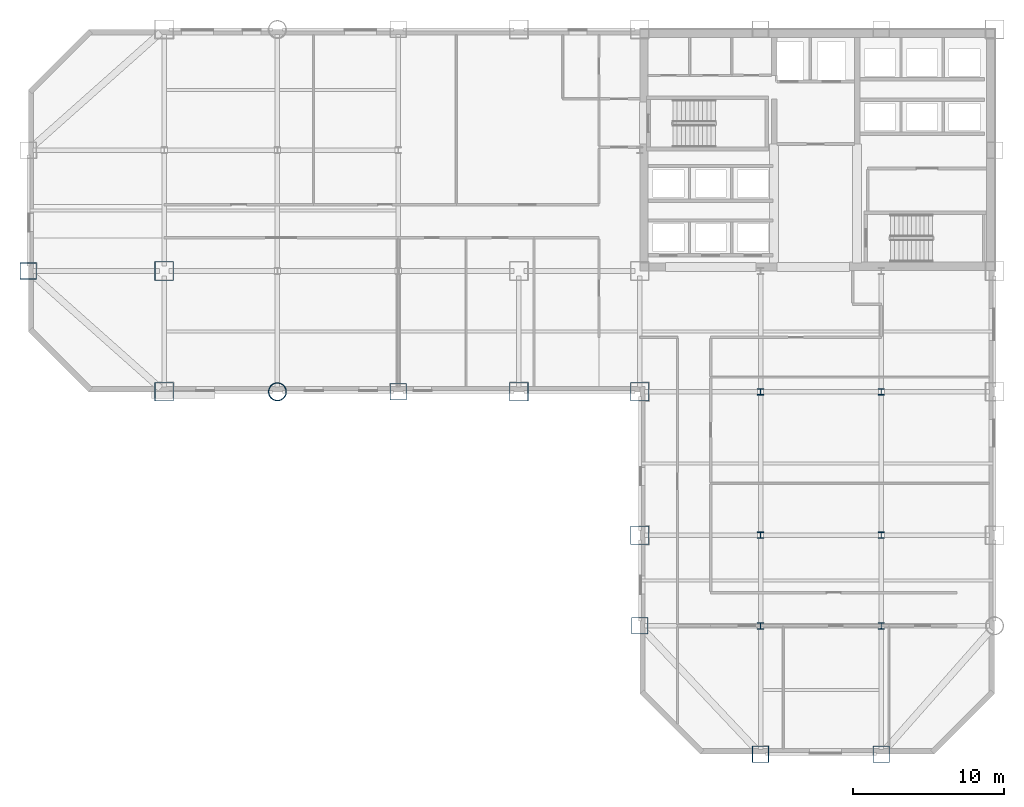
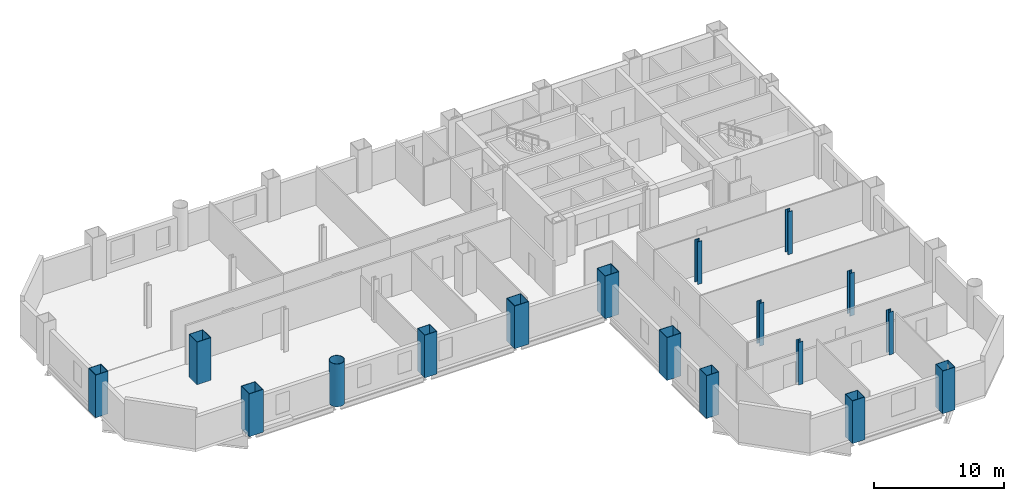
# One storey, part 1 of 9: 17 columns.
"""IFC4 building model written with IfcOpenShell, lengths in metres."""

import ifcopenshell
import ifcopenshell.guid

model = None  # the IFC model being written
_history = None  # IfcOwnerHistory: only IFC2X3 demands one
_inside = {}  # id of a spatial element -> (the spatial element, [elements in it])
_under = {}  # id of a project, library or spatial element -> (it, [spatial elements below it])
_declared = {}  # id of a project -> (the project, [libraries it declares])
_typed = {}  # id of a type object -> (the type object, [elements of that type])
_made_of = {}  # id of a material, layer set ... -> (it, [elements and type objects made of it])


def new_model(schema):
    """Start an empty IFC model of exactly this schema.

    Asked for "IFC4X3", IfcOpenShell would pick the latest addendum, in which some entities
    have other attributes; the version numbers below select the first issue.
    IFC2X3 requires an IfcOwnerHistory on every rooted entity: one is made here for all.
    """
    global model, _history
    if schema == "IFC4X3":
        model = ifcopenshell.file(schema_version=(4, 3, 0, 0))
    else:
        model = ifcopenshell.file(schema=schema)
    _inside.clear()
    _under.clear()
    _declared.clear()
    _typed.clear()
    _made_of.clear()
    _history = None
    if model.schema == "IFC2X3":
        org = make("IfcOrganization", Name="unknown")
        user = make(
            "IfcPersonAndOrganization",
            ThePerson=make("IfcPerson", FamilyName="unknown"),
            TheOrganization=org,
        )
        app = make(
            "IfcApplication",
            ApplicationDeveloper=org,
            Version="unknown",
            ApplicationFullName="unknown",
            ApplicationIdentifier="unknown",
        )
        _history = make(
            "IfcOwnerHistory",
            OwningUser=user,
            OwningApplication=app,
            ChangeAction="ADDED",
            CreationDate=0,
        )
    return model


def make(cls, **values):
    """One entity of the class cls with the attributes given. An attribute that is None is left unset."""
    return model.create_entity(
        cls, **{name: value for name, value in values.items() if value is not None}
    )


def rooted(cls, **values):
    """An entity with a GlobalId (a new one), such as an element, a storey or a relation."""
    return make(cls, GlobalId=ifcopenshell.guid.new(), OwnerHistory=_history, **values)


def si_unit(unit_type, name, prefix=None):
    """IfcSIUnit, for example si_unit("LENGTHUNIT", "METRE", prefix="MILLI")."""
    return make("IfcSIUnit", UnitType=unit_type, Prefix=prefix, Name=name)


def assignment(units):
    """IfcUnitAssignment: the units of a project."""
    return None if units is None else make("IfcUnitAssignment", Units=units)


def point(xyz):
    """IfcCartesianPoint."""
    return None if xyz is None else make("IfcCartesianPoint", Coordinates=xyz)


def direction(xyz):
    """IfcDirection."""
    return None if xyz is None else make("IfcDirection", DirectionRatios=xyz)


def frame(location, z_axis=None, x_axis=None):
    """IfcAxis2Placement3D, a coordinate frame: its origin and axes. An axis left out is left unset."""
    return make(
        "IfcAxis2Placement3D",
        Location=point(location),
        Axis=direction(z_axis),
        RefDirection=direction(x_axis),
    )


def frame_2d(location, x_axis=None):
    """IfcAxis2Placement2D, a coordinate frame in the plane: its origin and x axis."""
    return make(
        "IfcAxis2Placement2D", Location=point(location), RefDirection=direction(x_axis)
    )


def origin():
    """The frame at (0, 0, 0) with its axes left unset."""
    return frame((0.0, 0.0, 0.0))


def origin_2d():
    """The frame at (0, 0) in the plane with its x axis left unset."""
    return frame_2d((0.0, 0.0))


def place(relative_to, where):
    """IfcLocalPlacement: puts the frame where relative to a parent placement (None: the world)."""
    return make(
        "IfcLocalPlacement", PlacementRelTo=relative_to, RelativePlacement=where
    )


def context(
    kind, dimensions, precision=None, world=None, true_north=None, identifier=None
):
    """IfcGeometricRepresentationContext, for example the 3D "Model" context."""
    return make(
        "IfcGeometricRepresentationContext",
        ContextIdentifier=identifier,
        ContextType=kind,
        CoordinateSpaceDimension=dimensions,
        Precision=precision,
        WorldCoordinateSystem=world,
        TrueNorth=true_north,
    )


def subcontext(parent, identifier, kind, view, scale=None):
    """IfcGeometricRepresentationSubContext, for example "Body" below "Model"."""
    return make(
        "IfcGeometricRepresentationSubContext",
        ContextIdentifier=identifier,
        ContextType=kind,
        ParentContext=parent,
        TargetScale=scale,
        TargetView=view,
    )


def project(units=None, contexts=None):
    """IfcProject with its units and contexts."""
    return rooted(
        "IfcProject",
        Name="project",
        RepresentationContexts=contexts,
        UnitsInContext=assignment(units),
    )


def spatial(cls, under=None, at=None, **own):
    """A site, building, storey or space (cls), placed at a placement, below another one or the project."""
    s = rooted(cls, ObjectPlacement=at, **own)
    if under is not None:
        _under.setdefault(under.id(), (under, []))[1].append(s)
    return s


def profile(cls, at=None, kind="AREA", **sizes):
    """A parametric profile (cls). Its sizes go by their IFC names, for example OverallWidth=200.0."""
    return make(cls, ProfileType=kind, Position=at, **sizes)


def hollow_rectangle(**sizes):
    """IfcRectangleHollowProfileDef."""
    return profile("IfcRectangleHollowProfileDef", **sizes)


def hollow_circle(**sizes):
    """IfcCircleHollowProfileDef."""
    return profile("IfcCircleHollowProfileDef", **sizes)


def i_section(**sizes):
    """IfcIShapeProfileDef."""
    return profile("IfcIShapeProfileDef", **sizes)


def extrude(swept, where, along, depth):
    """IfcExtrudedAreaSolid: the profile swept, set in the frame where, extruded along a direction by depth."""
    return make(
        "IfcExtrudedAreaSolid",
        SweptArea=swept,
        Position=where,
        ExtrudedDirection=direction(along),
        Depth=depth,
    )


def shape(context_of_items, identifier, shape_type, items):
    """IfcShapeRepresentation: the items that make up one representation, for example the "Body"."""
    return make(
        "IfcShapeRepresentation",
        ContextOfItems=context_of_items,
        RepresentationIdentifier=identifier,
        RepresentationType=shape_type,
        Items=items,
    )


def material(Name=None, Category=None):
    """IfcMaterial."""
    return make("IfcMaterial", Name=Name, Category=Category)


def material_profile(
    of_material, cross_section, Name=None, Category=None, Priority=None
):
    """IfcMaterialProfile: a cross section and its material."""
    return make(
        "IfcMaterialProfile",
        Name=Name,
        Material=of_material,
        Profile=cross_section,
        Priority=Priority,
        Category=Category,
    )


def profile_set(profiles, Name=None, composite=None):
    """IfcMaterialProfileSet."""
    return make(
        "IfcMaterialProfileSet",
        Name=Name,
        MaterialProfiles=profiles,
        CompositeProfile=composite,
    )


def made_of(thing, what):
    """Note that an element or type object is made of a material, layer set ...; save() writes the relation."""
    if what is not None:
        _made_of.setdefault(what.id(), (what, []))[1].append(thing)
    return thing


def type_object(cls, material=None, **own):
    """A type object (cls), such as IfcWallType, which elements share."""
    return made_of(rooted(cls, **own), material)


def element(
    cls,
    number,
    at=None,
    inside=None,
    cuts=None,
    type_object=None,
    material=None,
    context=None,
    identifier="Body",
    shape_type=None,
    held_by="IfcProductDefinitionShape",
    body=None,
    shapes=None,
    **own,
):
    """One element of the class cls, such as IfcWall. Its Tag is "e" and its number.

    at: its placement. inside: the storey or other place that contains it. cuts: it is an
    opening in that element (IfcRelVoidsElement). A single representation is given by context,
    identifier, shape_type and body (its items); several are given by shapes. held_by: the class
    of the entity that holds the representations. save() writes the other relations.
    """
    e = rooted(cls, Tag="e%d" % number, ObjectPlacement=at, **own)
    if body is not None:
        shapes = [shape(context, identifier, shape_type, body)]
    if shapes is not None:
        e.Representation = make(held_by, Representations=shapes)
    if inside is not None:
        _inside.setdefault(inside.id(), (inside, []))[1].append(e)
    if cuts is not None:
        rooted(
            "IfcRelVoidsElement", RelatingBuildingElement=cuts, RelatedOpeningElement=e
        )
    if type_object is not None:
        _typed.setdefault(type_object.id(), (type_object, []))[1].append(e)
    return made_of(e, material)


def aggregate(whole, parts):
    """IfcRelAggregates: a whole, such as a stair, and the parts it consists of."""
    return rooted("IfcRelAggregates", RelatingObject=whole, RelatedObjects=parts)


def save(model, path):
    """Write the relations noted so far, then the file.

    IfcRelAggregates (storeys below a building ...), IfcRelContainedInSpatialStructure (elements
    in a storey), IfcRelDefinesByType, IfcRelAssociatesMaterial and IfcRelDeclares: one each for
    every whole, place, type object, material and project.
    """
    for whole, parts in _under.values():
        aggregate(whole, parts)
    for where, things in _inside.values():
        rooted(
            "IfcRelContainedInSpatialStructure",
            RelatedElements=things,
            RelatingStructure=where,
        )
    for kind, things in _typed.values():
        rooted("IfcRelDefinesByType", RelatedObjects=things, RelatingType=kind)
    for what, things in _made_of.values():
        rooted("IfcRelAssociatesMaterial", RelatedObjects=things, RelatingMaterial=what)
    for by, libraries in _declared.values():
        rooted("IfcRelDeclares", RelatingContext=by, RelatedDefinitions=libraries)
    model.write(path)


model = new_model("IFC4")

# Units and contexts
model_context = context("Model", 3, precision=1e-05, world=origin(), true_north=direction((0.0, 1.0)))
body_context = subcontext(model_context, "Body", "Model", "MODEL_VIEW")
ifc_project = project(units=[si_unit("LENGTHUNIT", "METRE"), si_unit("AREAUNIT", "SQUARE_METRE"), si_unit("VOLUMEUNIT", "CUBIC_METRE"), si_unit("PLANEANGLEUNIT", "RADIAN"), si_unit("MASSUNIT", "GRAM", prefix="KILO")], contexts=[model_context])

# Site, building, storey
site_placement = place(None, origin())
site = spatial("IfcSite", under=ifc_project, at=site_placement, CompositionType="ELEMENT")
building_placement = place(site_placement, origin())
building = spatial("IfcBuilding", under=site, at=building_placement, Name="Qianrong Seaharbour Tower", CompositionType="ELEMENT")
storey_placement = place(building_placement, frame((0.0, 0.0, 104.199951171875)))
storey = spatial("IfcBuildingStorey", under=building, at=storey_placement, Name="L25", CompositionType="ELEMENT", Elevation=104.199951171875)

# Columns
ifc_material = material(Name="Structural steel SN490B", Category="steel")
ifc_material_profile_1 = material_profile(ifc_material, hollow_rectangle(XDim=1.25, YDim=1.25, WallThickness=0.044921875, at=origin_2d()), Name="BOX1250x1250x45")
ifc_profile_set_1 = profile_set([ifc_material_profile_1], Name="Structural steel SN490B")
column_type_1 = type_object("IfcColumnType", Name="COL-CFT-1250", PredefinedType="COLUMN", material=ifc_profile_set_1)
for number, where, z_axis, x_axis, name in (
    (1, (9.0, 28.0, 0.0), (0.0, 0.0, 1.0), (1.0, 0.0, 0.0), "L25 Column MC-2 at G2/GE"),
    (2, (9.0, 36.0, 0.0), (0.0, 0.0, 1.0), (1.0, 0.0, 0.0), "L25 Column MC-2 at G2/GF"),
    (3, (32.5, 28.0, 0.0), (0.0, 0.0, 1.0), (1.0, 0.0, 0.0), "L25 Column MC-2 at G5/GE"),
    (4, (40.5, 18.5, 0.0), (0.0, 0.0, 1.0), (1.0, 0.0, 0.0), "L25 Column MC-2 at G6/GD"),
    (5, (40.5, 28.0, 0.0), (0.0, 0.0, 1.0), (1.0, 0.0, 0.0), "L25 Column MC-2 at G6/GE"),
):
    element("IfcColumn", number, at=place(storey_placement, frame(where, z_axis=z_axis, x_axis=x_axis)), inside=storey, type_object=column_type_1, Name=name, PredefinedType="COLUMN", context=body_context, shape_type="SweptSolid", body=[
        extrude(hollow_rectangle(XDim=1.25, YDim=1.25, WallThickness=0.044921875, at=origin_2d()), origin(), (0.0, 0.0, 1.0), 4.0),
    ])
ifc_material_profile_2 = material_profile(ifc_material, hollow_circle(Radius=0.60009765625, WallThickness=0.0400390625, at=origin_2d()), Name="CHS1200x40")
ifc_profile_set_2 = profile_set([ifc_material_profile_2], Name="Structural steel SN490B")
column_type_2 = type_object("IfcColumnType", Name="COL-CHS-1200", PredefinedType="COLUMN", material=ifc_profile_set_2)
column_placement = place(storey_placement, frame((16.5, 28.0, 0.0), z_axis=(0.0, 0.0, 1.0), x_axis=(1.0, 0.0, 0.0)))
element("IfcColumn", 6, at=column_placement, inside=storey, type_object=column_type_2, Name="L25 Column CC-1 at G3/GE", PredefinedType="COLUMN", context=body_context, shape_type="SweptSolid", body=[
    extrude(hollow_circle(Radius=0.60009765625, WallThickness=0.0400390625, at=origin_2d()), origin(), (0.0, 0.0, 1.0), 4.0),
])
ifc_material_profile_3 = material_profile(ifc_material, i_section(OverallWidth=0.406982421875, OverallDepth=0.427978515625, WebThickness=0.02001953125, FlangeThickness=0.034912109375, FilletRadius=0.02197265625, at=origin_2d()), Name="H428x407x20x35")
ifc_profile_set_3 = profile_set([ifc_material_profile_3], Name="Structural steel SN490B")
column_type_3 = type_object("IfcColumnType", Name="COL-INT-H428", PredefinedType="COLUMN", material=ifc_profile_set_3)
for number, where, z_axis, x_axis, name in (
    (7, (48.5, 12.5, 0.0), (0.0, 0.0, 1.0), (1.0, 0.0, 0.0), "L25 Column IC-2 at G7/GC"),
    (8, (48.5, 18.5, 0.0), (0.0, 0.0, 1.0), (1.0, 0.0, 0.0), "L25 Column IC-2 at G7/GD"),
    (9, (48.5, 28.0, 0.0), (0.0, 0.0, 1.0), (1.0, 0.0, 0.0), "L25 Column IC-2 at G7/GE"),
    (10, (56.5, 12.5, 0.0), (0.0, 0.0, 1.0), (1.0, 0.0, 0.0), "L25 Column IC-2 at G8/GC"),
    (11, (56.5, 18.5, 0.0), (0.0, 0.0, 1.0), (1.0, 0.0, 0.0), "L25 Column IC-2 at G8/GD"),
    (12, (56.5, 28.0, 0.0), (0.0, 0.0, 1.0), (1.0, 0.0, 0.0), "L25 Column IC-2 at G8/GE"),
):
    element("IfcColumn", number, at=place(storey_placement, frame(where, z_axis=z_axis, x_axis=x_axis)), inside=storey, type_object=column_type_3, Name=name, PredefinedType="COLUMN", context=body_context, shape_type="SweptSolid", body=[
        extrude(i_section(OverallWidth=0.406982421875, OverallDepth=0.427978515625, WebThickness=0.02001953125, FlangeThickness=0.034912109375, FilletRadius=0.02197265625, at=origin_2d()), origin(), (0.0, 0.0, 1.0), 4.0),
    ])
ifc_material_profile_4 = material_profile(ifc_material, hollow_rectangle(XDim=1.10009765625, YDim=1.10009765625, WallThickness=0.0400390625, at=origin_2d()), Name="BOX1100x1100x40")
ifc_profile_set_4 = profile_set([ifc_material_profile_4], Name="Structural steel SN490B")
column_type_4 = type_object("IfcColumnType", Name="COL-PER-1100", PredefinedType="COLUMN", material=ifc_profile_set_4)
for number, where, z_axis, x_axis, name in (
    (13, (0.0, 36.0, 0.0), (0.0, 0.0, 1.0), (1.0, 0.0, 0.0), "L25 Column PC-1 at G1/GF"),
    (14, (24.5, 28.0, 0.0), (0.0, 0.0, 1.0), (1.0, 0.0, 0.0), "L25 Column PC-1 at G4/GE"),
    (15, (40.5, 12.5, 0.0), (0.0, 0.0, 1.0), (1.0, 0.0, 0.0), "L25 Column PC-1 at G6/GC"),
    (16, (48.5, 4.0, 0.0), (0.0, 0.0, 1.0), (1.0, 0.0, 0.0), "L25 Column PC-1 at G7/GB"),
    (17, (56.5, 4.0, 0.0), (0.0, 0.0, 1.0), (1.0, 0.0, 0.0), "L25 Column PC-1 at G8/GB"),
):
    element("IfcColumn", number, at=place(storey_placement, frame(where, z_axis=z_axis, x_axis=x_axis)), inside=storey, type_object=column_type_4, Name=name, PredefinedType="COLUMN", context=body_context, shape_type="SweptSolid", body=[
        extrude(hollow_rectangle(XDim=1.10009765625, YDim=1.10009765625, WallThickness=0.0400390625, at=origin_2d()), origin(), (0.0, 0.0, 1.0), 4.0),
    ])

save(model, "model.ifc")
